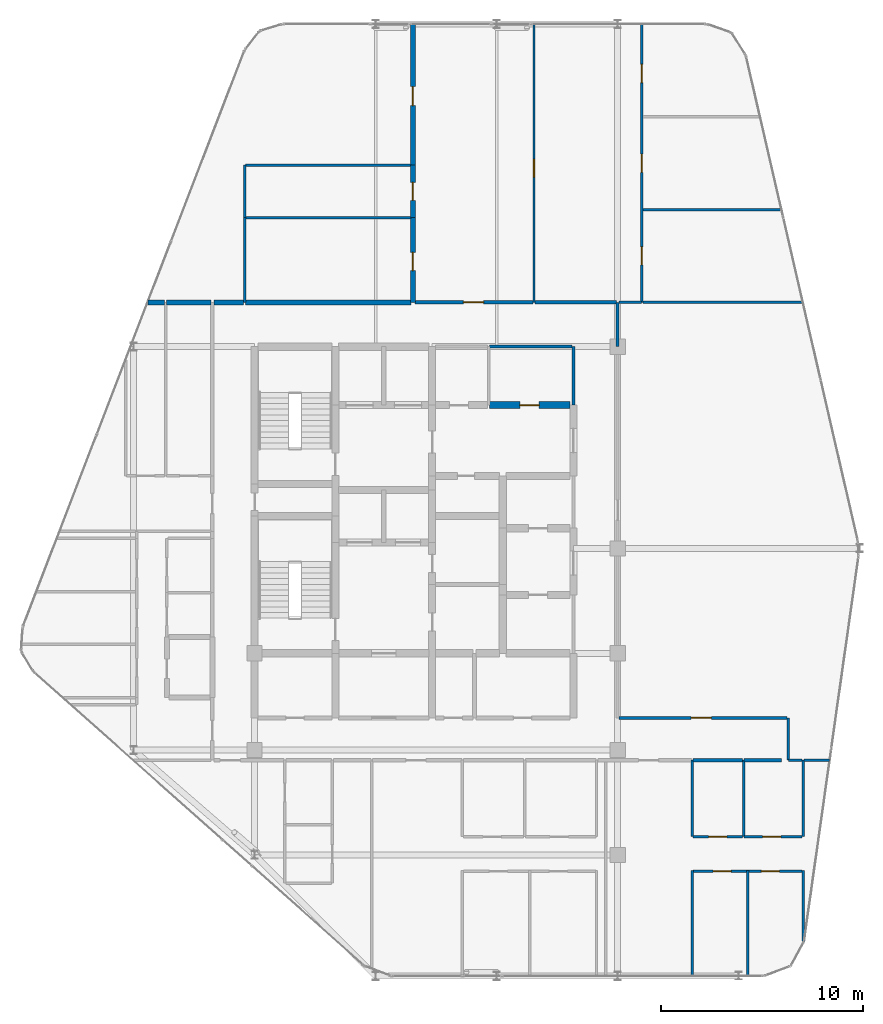
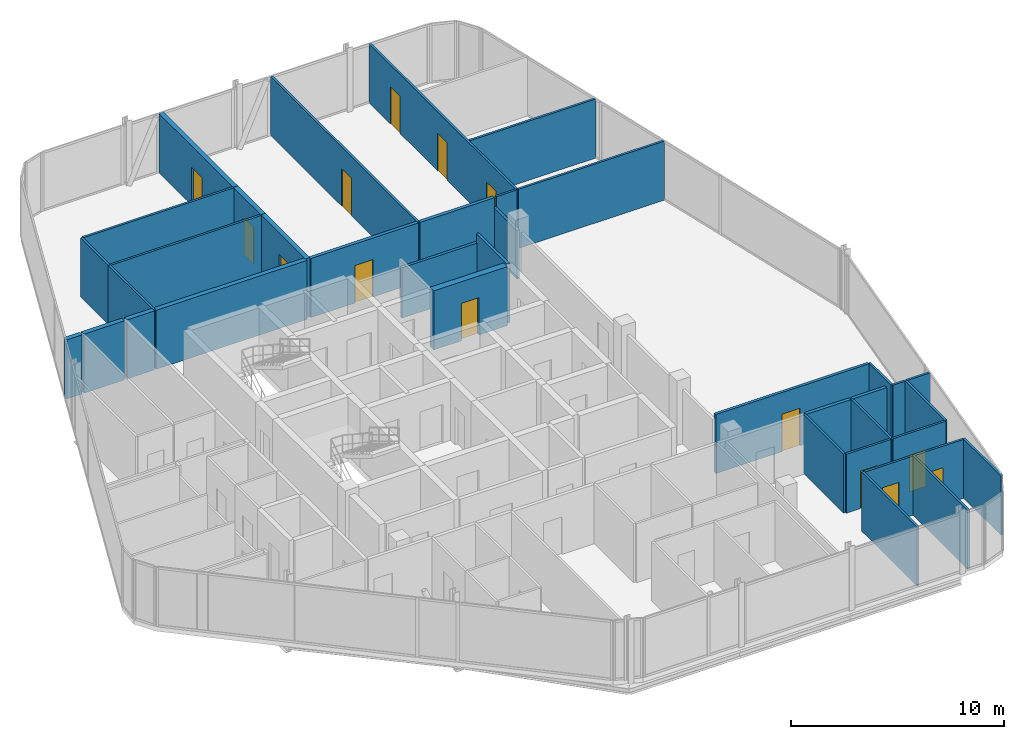
# One storey, part 25 of 27: 37 walls, 14 doors, 14 openings.
"""IFC4 building model written with IfcOpenShell, lengths in metres."""

from ifc_helpers import new_model, si_unit, direction, frame, frame_2d, origin, place, context, subcontext, project, spatial, rectangle, extrude, material, layer, layer_set, type_object, element, fill, save


model = new_model("IFC4")

# Units and contexts
model_context = context("Model", 3, precision=1e-05, world=origin(), true_north=direction((0.0, 1.0)))
body_context = subcontext(model_context, "Body", "Model", "MODEL_VIEW")
ifc_project = project(units=[si_unit("LENGTHUNIT", "METRE"), si_unit("AREAUNIT", "SQUARE_METRE"), si_unit("VOLUMEUNIT", "CUBIC_METRE"), si_unit("PLANEANGLEUNIT", "RADIAN"), si_unit("MASSUNIT", "GRAM", prefix="KILO")], contexts=[model_context])

# Site, building, storey
site_placement = place(None, origin())
site = spatial("IfcSite", under=ifc_project, at=site_placement, CompositionType="ELEMENT")
building_placement = place(site_placement, origin())
building = spatial("IfcBuilding", under=site, at=building_placement, Name="Keshet Zoharim Tower", CompositionType="ELEMENT")
storey_placement = place(building_placement, frame((0.0, 0.0, 247.300048828125)))
storey = spatial("IfcBuildingStorey", under=building, at=storey_placement, Name="L61", CompositionType="ELEMENT", Elevation=247.300048828125)

# Wall
ifc_material_1 = material(Name="Gypsum Plasterboard", Category="gypsum")
ifc_layer_1 = layer(ifc_material_1, 0.14990234375)
ifc_layer_set_1 = layer_set([ifc_layer_1], Name="Gypsum Plasterboard")
wall_type_1 = type_object("IfcWallType", Name="WL-CLIN-150", PredefinedType="STANDARD", material=ifc_layer_set_1)
wall_1_placement = place(storey_placement, frame((30.800048828125, 35.0, 0.0), z_axis=(0.0, 0.0, 1.0), x_axis=(0.0, 1.0, 0.0)))
element("IfcWall", 1, at=wall_1_placement, inside=storey, type_object=wall_type_1, Name="L61 Interior Wall 059", PredefinedType="STANDARD", context=body_context, shape_type="SweptSolid", body=[
    extrude(rectangle(XDim=2.89990234375, YDim=0.14990234375, at=frame_2d((1.449951171875, 0.0))), origin(), (0.0, 0.0, 1.0), 3.389892578125),
])

# Wall, opening, door
wall_2_placement = place(storey_placement, frame((33.06005859375, 19.5, 0.0), z_axis=(0.0, 0.0, 1.0), x_axis=(1.0, 0.0, 0.0)))
wall_2 = element("IfcWall", 2, at=wall_2_placement, inside=storey, type_object=wall_type_1, Name="L61 Interior Wall 096", PredefinedType="STANDARD", context=body_context, shape_type="SweptSolid", body=[
    extrude(rectangle(XDim=8.322998046875, YDim=0.14990234375, at=frame_2d((4.16162109375, 0.0))), origin(), (0.0, 0.0, 1.0), 3.389892578125),
])
opening_1_placement = place(wall_2_placement, frame((3.5830078125, 0.0, 0.0)))
opening_1 = element("IfcOpeningElement", 3, at=opening_1_placement, cuts=wall_2, Name="Opening D-F310", PredefinedType="OPENING", context=body_context, shape_type="SweptSolid", body=[
    extrude(rectangle(XDim=1.0, YDim=2.14990234375, at=frame_2d((0.5, 1.074951171875))), frame((0.0, 0.0849609375, 0.0), z_axis=(0.0, -1.0, 0.0), x_axis=(1.0, 0.0, 0.0)), (0.0, 0.0, 1.0), 0.169921875),
])
ifc_material_2 = material(Name="Hardwood Timber", Category="wood")
door_type_1 = type_object("IfcDoorType", Name="DR-FD30-100", OperationType="NOTDEFINED", PredefinedType="DOOR", material=ifc_material_2)
door_1_placement = place(opening_1_placement, origin())
door_1 = element("IfcDoor", 4, at=door_1_placement, inside=storey, type_object=door_type_1, Name="L61 North West Residents Services Suite Door 2", OperationType="SINGLE_SWING_RIGHT", OverallHeight=2.14990234375, OverallWidth=1.0, PredefinedType="DOOR", context=body_context, shape_type="SweptSolid", body=[
    extrude(rectangle(XDim=1.0, YDim=2.14990234375, at=frame_2d((0.5, 1.074951171875))), frame((0.0, 0.02490234375, 0.0), z_axis=(0.0, -1.0, 0.0), x_axis=(1.0, 0.0, 0.0)), (0.0, 0.0, 1.0), 0.050048828125),
])
fill(opening_1, door_1)

# Walls
wall_3_placement = place(storey_placement, frame((26.64501953125, 37.89990234375, 0.0), z_axis=(0.0, 0.0, 1.0), x_axis=(1.0, 0.0, 0.0)))
element("IfcWall", 5, at=wall_3_placement, inside=storey, type_object=wall_type_1, Name="L61 Interior Wall 131", PredefinedType="STANDARD", context=body_context, shape_type="SweptSolid", body=[
    extrude(rectangle(XDim=4.094970703125, YDim=0.14990234375, at=frame_2d((2.04736328125, 0.0))), origin(), (0.0, 0.0, 1.0), 2.889892578125),
])
wall_4_placement = place(storey_placement, frame((33.0, 37.89990234375, 0.0), z_axis=(0.0, 0.0, 1.0), x_axis=(0.0, 1.0, 0.0)))
element("IfcWall", 6, at=wall_4_placement, inside=storey, type_object=wall_type_1, Name="L61 Interior Wall 063 Part 3", PredefinedType="STANDARD", context=body_context, shape_type="SweptSolid", body=[
    extrude(rectangle(XDim=2.2001953125, YDim=0.14990234375, at=frame_2d((1.10009765625, 0.0))), origin(), (0.0, 0.0, 1.0), 2.7900390625),
])

# Wall, opening, door
ifc_material_3 = material(Name="Concrete C60/75", Category="concrete")
ifc_layer_2 = layer(ifc_material_3, 0.35009765625)
ifc_layer_set_2 = layer_set([ifc_layer_2], Name="Concrete C60/75")
wall_type_2 = type_object("IfcWallType", Name="WL-CORE-350", PredefinedType="SHEAR", material=ifc_layer_set_2)
wall_5_placement = place(storey_placement, frame((26.64501953125, 35.0, 0.0), z_axis=(0.0, 0.0, 1.0), x_axis=(1.0, 0.0, 0.0)))
wall_5 = element("IfcWall", 7, at=wall_5_placement, inside=storey, type_object=wall_type_2, Name="L61 Core Shear Wall 127", PredefinedType="SHEAR", context=body_context, shape_type="SweptSolid", body=[
    extrude(rectangle(XDim=3.994873046875, YDim=0.35009765625, at=frame_2d((1.99755859375, 0.0))), origin(), (0.0, 0.0, 1.0), 3.389892578125),
])
opening_2_placement = place(wall_5_placement, frame((1.508056640625, 0.0, 0.0)))
opening_2 = element("IfcOpeningElement", 8, at=opening_2_placement, cuts=wall_5, Name="Opening D-F695", PredefinedType="OPENING", context=body_context, shape_type="SweptSolid", body=[
    extrude(rectangle(XDim=0.949951171875, YDim=2.14990234375, at=frame_2d((0.47509765625, 1.074951171875))), frame((0.0, 0.18505859375, 0.0), z_axis=(0.0, -1.0, 0.0), x_axis=(1.0, 0.0, 0.0)), (0.0, 0.0, 1.0), 0.3701171875),
])
door_type_2 = type_object("IfcDoorType", Name="DR-FD60-095", OperationType="NOTDEFINED", PredefinedType="DOOR", material=ifc_material_2)
door_2_placement = place(opening_2_placement, frame((0.949951171875, 0.0, 0.0), z_axis=(0.0, 0.0, 1.0), x_axis=(-1.0, 0.0, 0.0)))
door_2 = element("IfcDoor", 9, at=door_2_placement, inside=storey, type_object=door_type_2, Name="L61 Quiet Study Room Door", OperationType="SINGLE_SWING_RIGHT", OverallHeight=2.14990234375, OverallWidth=0.949951171875, PredefinedType="DOOR", context=body_context, shape_type="SweptSolid", body=[
    extrude(rectangle(XDim=0.949951171875, YDim=2.14990234375, at=frame_2d((0.47509765625, 1.074951171875))), frame((0.0, 0.02490234375, 0.0), z_axis=(0.0, -1.0, 0.0), x_axis=(1.0, 0.0, 0.0)), (0.0, 0.0, 1.0), 0.050048828125),
])
fill(opening_2, door_2)

# Walls
ifc_layer_3 = layer(ifc_material_1, 0.179931640625)
ifc_layer_set_3 = layer_set([ifc_layer_3], Name="Gypsum Plasterboard")
wall_type_3 = type_object("IfcWallType", Name="WL-CORR-180", PredefinedType="STANDARD", material=ifc_layer_set_3)
wall_6_placement = place(storey_placement, frame((36.7451171875, 17.39990234375, 0.0), z_axis=(0.0, 0.0, 1.0), x_axis=(1.0, 0.0, 0.0)))
element("IfcWall", 10, at=wall_6_placement, inside=storey, type_object=wall_type_3, Name="L61 Interior Wall 088", PredefinedType="STANDARD", context=body_context, shape_type="SweptSolid", body=[
    extrude(rectangle(XDim=2.435791015625, YDim=0.179931640625, at=frame_2d((1.2177734375, 0.0))), origin(), (0.0, 0.0, 1.0), 3.389892578125),
])
wall_7_placement = place(storey_placement, frame((39.27099609375, 17.39990234375, 0.0), z_axis=(0.0, 0.0, 1.0), x_axis=(1.0, 0.0, 0.0)))
element("IfcWall", 11, at=wall_7_placement, inside=storey, type_object=wall_type_3, Name="L61 Interior Wall 089", PredefinedType="STANDARD", context=body_context, shape_type="SweptSolid", body=[
    extrude(rectangle(XDim=1.85888671875, YDim=0.179931640625, at=frame_2d((0.929443359375, 0.0))), origin(), (0.0, 0.0, 1.0), 3.389892578125),
])

# Wall, opening, door
wall_8_placement = place(storey_placement, frame((22.9599609375, 40.10009765625, 0.0), z_axis=(0.0, 0.0, 1.0), x_axis=(1.0, 0.0, 0.0)))
wall_8 = element("IfcWall", 12, at=wall_8_placement, inside=storey, type_object=wall_type_3, Name="L61 Interior Wall 136", PredefinedType="STANDARD", context=body_context, shape_type="SweptSolid", body=[
    extrude(rectangle(XDim=5.844970703125, YDim=0.179931640625, at=frame_2d((2.92236328125, 0.0))), origin(), (0.0, 0.0, 1.0), 3.389892578125),
])
opening_3_placement = place(wall_8_placement, frame((2.389892578125, 0.0, 0.0)))
opening_3 = element("IfcOpeningElement", 13, at=opening_3_placement, cuts=wall_8, Name="Opening D-F310", PredefinedType="OPENING", context=body_context, shape_type="SweptSolid", body=[
    extrude(rectangle(XDim=1.0, YDim=2.14990234375, at=frame_2d((0.5, 1.074951171875))), frame((0.0, 0.10009765625, 0.0), z_axis=(0.0, -1.0, 0.0), x_axis=(1.0, 0.0, 0.0)), (0.0, 0.0, 1.0), 0.199951171875),
])
door_3_placement = place(opening_3_placement, origin())
door_3 = element("IfcDoor", 14, at=door_3_placement, inside=storey, type_object=door_type_1, Name="Apartment 6104 Entrance Door", OperationType="SINGLE_SWING_LEFT", OverallHeight=2.14990234375, OverallWidth=1.0, PredefinedType="DOOR", context=body_context, shape_type="SweptSolid", body=[
    extrude(rectangle(XDim=1.0, YDim=2.14990234375, at=frame_2d((0.5, 1.074951171875))), frame((0.0, 0.02490234375, 0.0), z_axis=(0.0, -1.0, 0.0), x_axis=(1.0, 0.0, 0.0)), (0.0, 0.0, 1.0), 0.050048828125),
])
fill(opening_3, door_3)

# Wall
wall_9_placement = place(storey_placement, frame((28.89501953125, 40.10009765625, 0.0), z_axis=(0.0, 0.0, 1.0), x_axis=(1.0, 0.0, 0.0)))
element("IfcWall", 15, at=wall_9_placement, inside=storey, type_object=wall_type_3, Name="L61 Interior Wall 137", PredefinedType="STANDARD", context=body_context, shape_type="SweptSolid", body=[
    extrude(rectangle(XDim=4.044921875, YDim=0.179931640625, at=frame_2d((2.0224609375, 0.0))), origin(), (0.0, 0.0, 1.0), 3.389892578125),
])

# Wall, opening, door
ifc_material_4 = material(Name="Concrete C50/60", Category="concrete")
ifc_layer_4 = layer(ifc_material_4, 0.25)
ifc_layer_set_4 = layer_set([ifc_layer_4], Name="Concrete C50/60")
wall_type_4 = type_object("IfcWallType", Name="WL-MAMAD-250", PredefinedType="STANDARD", material=ifc_layer_set_4)
wall_10_placement = place(storey_placement, frame((22.85009765625, 40.10009765625, 0.0), z_axis=(0.0, 0.0, 1.0), x_axis=(0.0, 1.0, 0.0)))
wall_10 = element("IfcWall", 16, at=wall_10_placement, inside=storey, type_object=wall_type_4, Name="L61 Interior Wall 034", PredefinedType="STANDARD", context=body_context, shape_type="SweptSolid", body=[
    extrude(rectangle(XDim=4.199951171875, YDim=0.25, at=frame_2d((2.10009765625, 0.0))), origin(), (0.0, 0.0, 1.0), 3.389892578125),
])
opening_4_placement = place(wall_10_placement, frame((1.576904296875, 0.0, 0.0)))
opening_4 = element("IfcOpeningElement", 17, at=opening_4_placement, cuts=wall_10, Name="Opening D-IN90", PredefinedType="OPENING", context=body_context, shape_type="SweptSolid", body=[
    extrude(rectangle(XDim=0.89990234375, YDim=2.14990234375, at=frame_2d((0.449951171875, 1.074951171875))), frame((0.0, 0.135009765625, 0.0), z_axis=(0.0, -1.0, 0.0), x_axis=(1.0, 0.0, 0.0)), (0.0, 0.0, 1.0), 0.27001953125),
])
door_type_3 = type_object("IfcDoorType", Name="DR-INT-090", OperationType="NOTDEFINED", PredefinedType="DOOR", material=ifc_material_2)
door_4_placement = place(opening_4_placement, origin())
door_4 = element("IfcDoor", 18, at=door_4_placement, inside=storey, type_object=door_type_3, Name="Apartment 6104 Kitchen Door", OperationType="SINGLE_SWING_RIGHT", OverallHeight=2.14990234375, OverallWidth=0.89990234375, PredefinedType="DOOR", context=body_context, shape_type="SweptSolid", body=[
    extrude(rectangle(XDim=0.89990234375, YDim=2.14990234375, at=frame_2d((0.449951171875, 1.074951171875))), frame((0.0, 0.02490234375, 0.0), z_axis=(0.0, -1.0, 0.0), x_axis=(1.0, 0.0, 0.0)), (0.0, 0.0, 1.0), 0.050048828125),
])
fill(opening_4, door_4)

wall_11_placement = place(storey_placement, frame((22.85009765625, 44.300048828125, 0.0), z_axis=(0.0, 0.0, 1.0), x_axis=(0.0, 1.0, 0.0)))
wall_11 = element("IfcWall", 19, at=wall_11_placement, inside=storey, type_object=wall_type_4, Name="L61 Interior Wall 035", PredefinedType="STANDARD", context=body_context, shape_type="SweptSolid", body=[
    extrude(rectangle(XDim=2.599853515625, YDim=0.25, at=frame_2d((1.2998046875, 0.0))), origin(), (0.0, 0.0, 1.0), 3.389892578125),
])
opening_5_placement = place(wall_11_placement, frame((0.85009765625, 0.0, 0.0)))
opening_5 = element("IfcOpeningElement", 20, at=opening_5_placement, cuts=wall_11, Name="Opening D-WT90", PredefinedType="OPENING", context=body_context, shape_type="SweptSolid", body=[
    extrude(rectangle(XDim=0.89990234375, YDim=2.10009765625, at=frame_2d((0.449951171875, 1.050048828125))), frame((0.0, 0.135009765625, 0.0), z_axis=(0.0, -1.0, 0.0), x_axis=(1.0, 0.0, 0.0)), (0.0, 0.0, 1.0), 0.27001953125),
])
door_type_4 = type_object("IfcDoorType", Name="DR-WET-090", OperationType="NOTDEFINED", PredefinedType="DOOR", material=ifc_material_2)
door_5_placement = place(opening_5_placement, origin())
door_5 = element("IfcDoor", 21, at=door_5_placement, inside=storey, type_object=door_type_4, Name="Apartment 6104 Bathroom Door", OperationType="SINGLE_SWING_LEFT", OverallHeight=2.10009765625, OverallWidth=0.89990234375, PredefinedType="DOOR", context=body_context, shape_type="SweptSolid", body=[
    extrude(rectangle(XDim=0.89990234375, YDim=2.10009765625, at=frame_2d((0.449951171875, 1.050048828125))), frame((0.0, 0.02490234375, 0.0), z_axis=(0.0, -1.0, 0.0), x_axis=(1.0, 0.0, 0.0)), (0.0, 0.0, 1.0), 0.050048828125),
])
fill(opening_5, door_5)

wall_12_placement = place(storey_placement, frame((22.85009765625, 46.89990234375, 0.0), z_axis=(0.0, 0.0, 1.0), x_axis=(0.0, 1.0, 0.0)))
wall_12 = element("IfcWall", 22, at=wall_12_placement, inside=storey, type_object=wall_type_4, Name="L61 Interior Wall 036", PredefinedType="STANDARD", context=body_context, shape_type="SweptSolid", body=[
    extrude(rectangle(XDim=6.989990234375, YDim=0.25, at=frame_2d((3.4951171875, 0.0))), origin(), (0.0, 0.0, 1.0), 3.389892578125),
])
opening_6_placement = place(wall_12_placement, frame((2.948974609375, 0.0, 0.0)))
opening_6 = element("IfcOpeningElement", 23, at=opening_6_placement, cuts=wall_12, Name="Opening D-F695", PredefinedType="OPENING", context=body_context, shape_type="SweptSolid", body=[
    extrude(rectangle(XDim=0.949951171875, YDim=2.14990234375, at=frame_2d((0.47509765625, 1.074951171875))), frame((0.0, 0.135009765625, 0.0), z_axis=(0.0, -1.0, 0.0), x_axis=(1.0, 0.0, 0.0)), (0.0, 0.0, 1.0), 0.27001953125),
])
door_6_placement = place(opening_6_placement, origin())
door_6 = element("IfcDoor", 24, at=door_6_placement, inside=storey, type_object=door_type_2, Name="Apartment 6104 Study and Shelter Room Door", OperationType="SINGLE_SWING_RIGHT", OverallHeight=2.14990234375, OverallWidth=0.949951171875, PredefinedType="DOOR", context=body_context, shape_type="SweptSolid", body=[
    extrude(rectangle(XDim=0.949951171875, YDim=2.14990234375, at=frame_2d((0.47509765625, 1.074951171875))), frame((0.0, 0.02490234375, 0.0), z_axis=(0.0, -1.0, 0.0), x_axis=(1.0, 0.0, 0.0)), (0.0, 0.0, 1.0), 0.050048828125),
])
fill(opening_6, door_6)

# Walls
wall_13_placement = place(storey_placement, frame((9.701904296875, 40.10009765625, 0.0), z_axis=(0.0, 0.0, 1.0), x_axis=(1.0, 0.0, 0.0)))
element("IfcWall", 25, at=wall_13_placement, inside=storey, type_object=wall_type_4, Name="L61 Interior Wall 132", PredefinedType="STANDARD", context=body_context, shape_type="SweptSolid", body=[
    extrude(rectangle(XDim=0.8310546875, YDim=0.25, at=frame_2d((0.41552734375, 0.0))), origin(), (0.0, 0.0, 1.0), 3.389892578125),
])
wall_14_placement = place(storey_placement, frame((10.623046875, 40.10009765625, 0.0), z_axis=(0.0, 0.0, 1.0), x_axis=(1.0, 0.0, 0.0)))
element("IfcWall", 26, at=wall_14_placement, inside=storey, type_object=wall_type_4, Name="L61 Interior Wall 133", PredefinedType="STANDARD", context=body_context, shape_type="SweptSolid", body=[
    extrude(rectangle(XDim=2.201904296875, YDim=0.25, at=frame_2d((1.10107421875, 0.0))), origin(), (0.0, 0.0, 1.0), 3.389892578125),
])
wall_15_placement = place(storey_placement, frame((12.97509765625, 40.10009765625, 0.0), z_axis=(0.0, 0.0, 1.0), x_axis=(1.0, 0.0, 0.0)))
element("IfcWall", 27, at=wall_15_placement, inside=storey, type_object=wall_type_4, Name="L61 Interior Wall 134", PredefinedType="STANDARD", context=body_context, shape_type="SweptSolid", body=[
    extrude(rectangle(XDim=1.47998046875, YDim=0.25, at=frame_2d((0.739990234375, 0.0))), origin(), (0.0, 0.0, 1.0), 3.389892578125),
])
wall_16_placement = place(storey_placement, frame((14.544921875, 40.10009765625, 0.0), z_axis=(0.0, 0.0, 1.0), x_axis=(1.0, 0.0, 0.0)))
element("IfcWall", 28, at=wall_16_placement, inside=storey, type_object=wall_type_4, Name="L61 Interior Wall 135", PredefinedType="STANDARD", context=body_context, shape_type="SweptSolid", body=[
    extrude(rectangle(XDim=8.195068359375, YDim=0.25, at=frame_2d((4.09765625, 0.0))), origin(), (0.0, 0.0, 1.0), 3.389892578125),
])
ifc_layer_5 = layer(ifc_material_1, 0.1201171875)
ifc_layer_set_5 = layer_set([ifc_layer_5], Name="Gypsum Plasterboard")
wall_type_5 = type_object("IfcWallType", Name="WL-PART-120", PredefinedType="PARTITIONING", material=ifc_layer_set_5)
wall_17_placement = place(storey_placement, frame((14.5, 40.10009765625, 0.0), z_axis=(0.0, 0.0, 1.0), x_axis=(0.0, 1.0, 0.0)))
element("IfcWall", 29, at=wall_17_placement, inside=storey, type_object=wall_type_5, Name="L61 Interior Wall 016", PredefinedType="PARTITIONING", context=body_context, shape_type="SweptSolid", body=[
    extrude(rectangle(XDim=4.199951171875, YDim=0.1201171875, at=frame_2d((2.10009765625, 0.0))), origin(), (0.0, 0.0, 1.0), 3.389892578125),
])

# Wall, opening, door
wall_18_placement = place(storey_placement, frame((28.85009765625, 40.10009765625, 0.0), z_axis=(0.0, 0.0, 1.0), x_axis=(0.0, 1.0, 0.0)))
wall_18 = element("IfcWall", 30, at=wall_18_placement, inside=storey, type_object=wall_type_5, Name="L61 Interior Wall 053", PredefinedType="PARTITIONING", context=body_context, shape_type="SweptSolid", body=[
    extrude(rectangle(XDim=13.789794921875, YDim=0.1201171875, at=frame_2d((6.89501953125, 0.0))), origin(), (0.0, 0.0, 1.0), 3.389892578125),
])
opening_7_placement = place(wall_18_placement, frame((6.199951171875, 0.0, 0.0)))
opening_7 = element("IfcOpeningElement", 31, at=opening_7_placement, cuts=wall_18, Name="Opening D-IN90", PredefinedType="OPENING", context=body_context, shape_type="SweptSolid", body=[
    extrude(rectangle(XDim=0.89990234375, YDim=2.14990234375, at=frame_2d((0.449951171875, 1.074951171875))), frame((0.0, 0.070068359375, 0.0), z_axis=(0.0, -1.0, 0.0), x_axis=(1.0, 0.0, 0.0)), (0.0, 0.0, 1.0), 0.14013671875),
])
door_7_placement = place(opening_7_placement, origin())
door_7 = element("IfcDoor", 32, at=door_7_placement, inside=storey, type_object=door_type_3, Name="Apartment 6104 Formal Dining Room Door", OperationType="SINGLE_SWING_RIGHT", OverallHeight=2.14990234375, OverallWidth=0.89990234375, PredefinedType="DOOR", context=body_context, shape_type="SweptSolid", body=[
    extrude(rectangle(XDim=0.89990234375, YDim=2.14990234375, at=frame_2d((0.449951171875, 1.074951171875))), frame((0.0, 0.02490234375, 0.0), z_axis=(0.0, -1.0, 0.0), x_axis=(1.0, 0.0, 0.0)), (0.0, 0.0, 1.0), 0.050048828125),
])
fill(opening_7, door_7)

# Wall, openings, doors
wall_19_placement = place(storey_placement, frame((34.199951171875, 40.10009765625, 0.0), z_axis=(0.0, 0.0, 1.0), x_axis=(0.0, 1.0, 0.0)))
wall_19 = element("IfcWall", 33, at=wall_19_placement, inside=storey, type_object=wall_type_5, Name="L61 Interior Wall 064", PredefinedType="PARTITIONING", context=body_context, shape_type="SweptSolid", body=[
    extrude(rectangle(XDim=13.789794921875, YDim=0.1201171875, at=frame_2d((6.89501953125, 0.0))), origin(), (0.0, 0.0, 1.0), 3.389892578125),
])
opening_8_placement = place(wall_19_placement, frame((1.85205078125, 0.0, 0.0)))
opening_8 = element("IfcOpeningElement", 34, at=opening_8_placement, cuts=wall_19, Name="Opening D-IN90", PredefinedType="OPENING", context=body_context, shape_type="SweptSolid", body=[
    extrude(rectangle(XDim=0.89990234375, YDim=2.14990234375, at=frame_2d((0.449951171875, 1.074951171875))), frame((0.0, 0.070068359375, 0.0), z_axis=(0.0, -1.0, 0.0), x_axis=(1.0, 0.0, 0.0)), (0.0, 0.0, 1.0), 0.14013671875),
])
opening_9_placement = place(wall_19_placement, frame((6.449951171875, 0.0, 0.0)))
opening_9 = element("IfcOpeningElement", 35, at=opening_9_placement, cuts=wall_19, Name="Opening D-IN90", PredefinedType="OPENING", context=body_context, shape_type="SweptSolid", body=[
    extrude(rectangle(XDim=0.89990234375, YDim=2.14990234375, at=frame_2d((0.449951171875, 1.074951171875))), frame((0.0, 0.070068359375, 0.0), z_axis=(0.0, -1.0, 0.0), x_axis=(1.0, 0.0, 0.0)), (0.0, 0.0, 1.0), 0.14013671875),
])
opening_10_placement = place(wall_19_placement, frame((10.89794921875, 0.0, 0.0)))
opening_10 = element("IfcOpeningElement", 36, at=opening_10_placement, cuts=wall_19, Name="Opening D-IN90", PredefinedType="OPENING", context=body_context, shape_type="SweptSolid", body=[
    extrude(rectangle(XDim=0.89990234375, YDim=2.14990234375, at=frame_2d((0.449951171875, 1.074951171875))), frame((0.0, 0.070068359375, 0.0), z_axis=(0.0, -1.0, 0.0), x_axis=(1.0, 0.0, 0.0)), (0.0, 0.0, 1.0), 0.14013671875),
])
door_8_placement = place(opening_8_placement, origin())
door_8 = element("IfcDoor", 37, at=door_8_placement, inside=storey, type_object=door_type_3, Name="Apartment 6104 Bedroom 1 Door", OperationType="SINGLE_SWING_RIGHT", OverallHeight=2.14990234375, OverallWidth=0.89990234375, PredefinedType="DOOR", context=body_context, shape_type="SweptSolid", body=[
    extrude(rectangle(XDim=0.89990234375, YDim=2.14990234375, at=frame_2d((0.449951171875, 1.074951171875))), frame((0.0, 0.02490234375, 0.0), z_axis=(0.0, -1.0, 0.0), x_axis=(1.0, 0.0, 0.0)), (0.0, 0.0, 1.0), 0.050048828125),
])
fill(opening_8, door_8)
door_9_placement = place(opening_9_placement, origin())
door_9 = element("IfcDoor", 38, at=door_9_placement, inside=storey, type_object=door_type_3, Name="Apartment 6104 Bedroom 2 Door", OperationType="SINGLE_SWING_LEFT", OverallHeight=2.14990234375, OverallWidth=0.89990234375, PredefinedType="DOOR", context=body_context, shape_type="SweptSolid", body=[
    extrude(rectangle(XDim=0.89990234375, YDim=2.14990234375, at=frame_2d((0.449951171875, 1.074951171875))), frame((0.0, 0.02490234375, 0.0), z_axis=(0.0, -1.0, 0.0), x_axis=(1.0, 0.0, 0.0)), (0.0, 0.0, 1.0), 0.050048828125),
])
fill(opening_9, door_9)
door_10_placement = place(opening_10_placement, origin())
door_10 = element("IfcDoor", 39, at=door_10_placement, inside=storey, type_object=door_type_3, Name="Apartment 6104 Bedroom 3 Door", OperationType="SINGLE_SWING_RIGHT", OverallHeight=2.14990234375, OverallWidth=0.89990234375, PredefinedType="DOOR", context=body_context, shape_type="SweptSolid", body=[
    extrude(rectangle(XDim=0.89990234375, YDim=2.14990234375, at=frame_2d((0.449951171875, 1.074951171875))), frame((0.0, 0.02490234375, 0.0), z_axis=(0.0, -1.0, 0.0), x_axis=(1.0, 0.0, 0.0)), (0.0, 0.0, 1.0), 0.050048828125),
])
fill(opening_10, door_10)

# Walls
wall_20_placement = place(storey_placement, frame((36.699951171875, 6.7099609375, 0.0), z_axis=(0.0, 0.0, 1.0), x_axis=(0.0, 1.0, 0.0)))
element("IfcWall", 40, at=wall_20_placement, inside=storey, type_object=wall_type_5, Name="L61 Interior Wall 065", PredefinedType="PARTITIONING", context=body_context, shape_type="SweptSolid", body=[
    extrude(rectangle(XDim=5.2099609375, YDim=0.1201171875, at=frame_2d((2.60498046875, 0.0))), origin(), (0.0, 0.0, 1.0), 3.389892578125),
])
wall_21_placement = place(storey_placement, frame((36.699951171875, 13.6201171875, 0.0), z_axis=(0.0, 0.0, 1.0), x_axis=(0.0, 1.0, 0.0)))
element("IfcWall", 41, at=wall_21_placement, inside=storey, type_object=wall_type_5, Name="L61 Interior Wall 066", PredefinedType="PARTITIONING", context=body_context, shape_type="SweptSolid", body=[
    extrude(rectangle(XDim=3.77978515625, YDim=0.1201171875, at=frame_2d((1.889892578125, 0.0))), origin(), (0.0, 0.0, 1.0), 3.389892578125),
])
wall_22_placement = place(storey_placement, frame((39.449951171875, 6.7099609375, 0.0), z_axis=(0.0, 0.0, 1.0), x_axis=(0.0, 1.0, 0.0)))
element("IfcWall", 42, at=wall_22_placement, inside=storey, type_object=wall_type_5, Name="L61 Interior Wall 068", PredefinedType="PARTITIONING", context=body_context, shape_type="SweptSolid", body=[
    extrude(rectangle(XDim=5.2099609375, YDim=0.1201171875, at=frame_2d((2.60498046875, 0.0))), origin(), (0.0, 0.0, 1.0), 3.389892578125),
])
wall_23_placement = place(storey_placement, frame((41.449951171875, 17.39990234375, 0.0), z_axis=(0.0, 0.0, 1.0), x_axis=(0.0, 1.0, 0.0)))
element("IfcWall", 43, at=wall_23_placement, inside=storey, type_object=wall_type_5, Name="L61 Interior Wall 069", PredefinedType="PARTITIONING", context=body_context, shape_type="SweptSolid", body=[
    extrude(rectangle(XDim=2.09912109375, YDim=0.1201171875, at=frame_2d((1.049560546875, 0.0))), origin(), (0.0, 0.0, 1.0), 3.389892578125),
])
wall_24_placement = place(storey_placement, frame((42.199951171875, 8.35107421875, 0.0), z_axis=(0.0, 0.0, 1.0), x_axis=(0.0, 1.0, 0.0)))
element("IfcWall", 44, at=wall_24_placement, inside=storey, type_object=wall_type_5, Name="L61 Interior Wall 070", PredefinedType="PARTITIONING", context=body_context, shape_type="SweptSolid", body=[
    extrude(rectangle(XDim=3.56884765625, YDim=0.1201171875, at=frame_2d((1.784423828125, 0.0))), origin(), (0.0, 0.0, 1.0), 3.389892578125),
])

# Wall, openings, doors
wall_25_placement = place(storey_placement, frame((36.7451171875, 11.89990234375, 0.0), z_axis=(0.0, 0.0, 1.0), x_axis=(1.0, 0.0, 0.0)))
wall_25 = element("IfcWall", 45, at=wall_25_placement, inside=storey, type_object=wall_type_5, Name="L61 Interior Wall 074", PredefinedType="PARTITIONING", context=body_context, shape_type="SweptSolid", body=[
    extrude(rectangle(XDim=5.40087890625, YDim=0.1201171875, at=frame_2d((2.700439453125, 0.0))), origin(), (0.0, 0.0, 1.0), 3.389892578125),
])
opening_11_placement = place(wall_25_placement, frame((0.98095703125, 0.0, 0.0)))
opening_11 = element("IfcOpeningElement", 46, at=opening_11_placement, cuts=wall_25, Name="Opening D-IN90", PredefinedType="OPENING", context=body_context, shape_type="SweptSolid", body=[
    extrude(rectangle(XDim=0.89990234375, YDim=2.14990234375, at=frame_2d((0.449951171875, 1.074951171875))), frame((0.0, 0.070068359375, 0.0), z_axis=(0.0, -1.0, 0.0), x_axis=(1.0, 0.0, 0.0)), (0.0, 0.0, 1.0), 0.14013671875),
])
opening_12_placement = place(wall_25_placement, frame((3.376953125, 0.0, 0.0)))
opening_12 = element("IfcOpeningElement", 47, at=opening_12_placement, cuts=wall_25, Name="Opening D-IN90", PredefinedType="OPENING", context=body_context, shape_type="SweptSolid", body=[
    extrude(rectangle(XDim=0.89990234375, YDim=2.14990234375, at=frame_2d((0.449951171875, 1.074951171875))), frame((0.0, 0.070068359375, 0.0), z_axis=(0.0, -1.0, 0.0), x_axis=(1.0, 0.0, 0.0)), (0.0, 0.0, 1.0), 0.14013671875),
])
door_11_placement = place(opening_11_placement, origin())
door_11 = element("IfcDoor", 48, at=door_11_placement, inside=storey, type_object=door_type_3, Name="Apartment 6103 Bedroom 1 Door", OperationType="SINGLE_SWING_LEFT", OverallHeight=2.14990234375, OverallWidth=0.89990234375, PredefinedType="DOOR", context=body_context, shape_type="SweptSolid", body=[
    extrude(rectangle(XDim=0.89990234375, YDim=2.14990234375, at=frame_2d((0.449951171875, 1.074951171875))), frame((0.0, 0.02490234375, 0.0), z_axis=(0.0, -1.0, 0.0), x_axis=(1.0, 0.0, 0.0)), (0.0, 0.0, 1.0), 0.050048828125),
])
fill(opening_11, door_11)
door_12_placement = place(opening_12_placement, origin())
door_12 = element("IfcDoor", 49, at=door_12_placement, inside=storey, type_object=door_type_3, Name="Apartment 6103 Bedroom 2 Door", OperationType="SINGLE_SWING_RIGHT", OverallHeight=2.14990234375, OverallWidth=0.89990234375, PredefinedType="DOOR", context=body_context, shape_type="SweptSolid", body=[
    extrude(rectangle(XDim=0.89990234375, YDim=2.14990234375, at=frame_2d((0.449951171875, 1.074951171875))), frame((0.0, 0.02490234375, 0.0), z_axis=(0.0, -1.0, 0.0), x_axis=(1.0, 0.0, 0.0)), (0.0, 0.0, 1.0), 0.050048828125),
])
fill(opening_12, door_12)

# Wall, opening, door
wall_26_placement = place(storey_placement, frame((36.7451171875, 13.60009765625, 0.0), z_axis=(0.0, 0.0, 1.0), x_axis=(1.0, 0.0, 0.0)))
wall_26 = element("IfcWall", 50, at=wall_26_placement, inside=storey, type_object=wall_type_5, Name="L61 Interior Wall 077", PredefinedType="PARTITIONING", context=body_context, shape_type="SweptSolid", body=[
    extrude(rectangle(XDim=2.435791015625, YDim=0.1201171875, at=frame_2d((1.2177734375, 0.0))), origin(), (0.0, 0.0, 1.0), 3.389892578125),
])
opening_13_placement = place(wall_26_placement, frame((0.76806640625, 0.0, 0.0)))
opening_13 = element("IfcOpeningElement", 51, at=opening_13_placement, cuts=wall_26, Name="Opening D-IN90", PredefinedType="OPENING", context=body_context, shape_type="SweptSolid", body=[
    extrude(rectangle(XDim=0.89990234375, YDim=2.14990234375, at=frame_2d((0.449951171875, 1.074951171875))), frame((0.0, 0.070068359375, 0.0), z_axis=(0.0, -1.0, 0.0), x_axis=(1.0, 0.0, 0.0)), (0.0, 0.0, 1.0), 0.14013671875),
])
door_13_placement = place(opening_13_placement, origin())
door_13 = element("IfcDoor", 52, at=door_13_placement, inside=storey, type_object=door_type_3, Name="Apartment 6103 Kitchen Door", OperationType="SINGLE_SWING_LEFT", OverallHeight=2.14990234375, OverallWidth=0.89990234375, PredefinedType="DOOR", context=body_context, shape_type="SweptSolid", body=[
    extrude(rectangle(XDim=0.89990234375, YDim=2.14990234375, at=frame_2d((0.449951171875, 1.074951171875))), frame((0.0, 0.02490234375, 0.0), z_axis=(0.0, -1.0, 0.0), x_axis=(1.0, 0.0, 0.0)), (0.0, 0.0, 1.0), 0.050048828125),
])
fill(opening_13, door_13)

# Walls
wall_27_placement = place(storey_placement, frame((42.236083984375, 17.39990234375, 0.0), z_axis=(0.0, 0.0, 1.0), x_axis=(1.0, 0.0, 0.0)))
element("IfcWall", 53, at=wall_27_placement, inside=storey, type_object=wall_type_5, Name="L61 Interior Wall 091", PredefinedType="PARTITIONING", context=body_context, shape_type="SweptSolid", body=[
    extrude(rectangle(XDim=1.267822265625, YDim=0.1201171875, at=frame_2d((0.6337890625, 0.0))), origin(), (0.0, 0.0, 1.0), 3.389892578125),
])
wall_28_placement = place(storey_placement, frame((33.06005859375, 40.10009765625, 0.0), z_axis=(0.0, 0.0, 1.0), x_axis=(1.0, 0.0, 0.0)))
element("IfcWall", 54, at=wall_28_placement, inside=storey, type_object=wall_type_5, Name="L61 Interior Wall 138", PredefinedType="PARTITIONING", context=body_context, shape_type="SweptSolid", body=[
    extrude(rectangle(XDim=1.114990234375, YDim=0.1201171875, at=frame_2d((0.5576171875, 0.0))), origin(), (0.0, 0.0, 1.0), 3.389892578125),
])
wall_29_placement = place(storey_placement, frame((34.264892578125, 40.10009765625, 0.0), z_axis=(0.0, 0.0, 1.0), x_axis=(1.0, 0.0, 0.0)))
element("IfcWall", 55, at=wall_29_placement, inside=storey, type_object=wall_type_5, Name="L61 Interior Wall 139", PredefinedType="PARTITIONING", context=body_context, shape_type="SweptSolid", body=[
    extrude(rectangle(XDim=7.91015625, YDim=0.1201171875, at=frame_2d((3.955078125, 0.0))), origin(), (0.0, 0.0, 1.0), 3.389892578125),
])
wall_30_placement = place(storey_placement, frame((34.264892578125, 44.699951171875, 0.0), z_axis=(0.0, 0.0, 1.0), x_axis=(1.0, 0.0, 0.0)))
element("IfcWall", 56, at=wall_30_placement, inside=storey, type_object=wall_type_5, Name="L61 Interior Wall 141", PredefinedType="PARTITIONING", context=body_context, shape_type="SweptSolid", body=[
    extrude(rectangle(XDim=6.84814453125, YDim=0.1201171875, at=frame_2d((3.424072265625, 0.0))), origin(), (0.0, 0.0, 1.0), 3.389892578125),
])
ifc_layer_6 = layer(ifc_material_1, 0.1201171875)
ifc_layer_set_6 = layer_set([ifc_layer_6], Name="Gypsum Plasterboard")
wall_type_6 = type_object("IfcWallType", Name="WL-WET-120", PredefinedType="PARTITIONING", material=ifc_layer_set_6)
wall_31_placement = place(storey_placement, frame((14.5, 44.300048828125, 0.0), z_axis=(0.0, 0.0, 1.0), x_axis=(0.0, 1.0, 0.0)))
element("IfcWall", 57, at=wall_31_placement, inside=storey, type_object=wall_type_6, Name="L61 Interior Wall 017", PredefinedType="PARTITIONING", context=body_context, shape_type="SweptSolid", body=[
    extrude(rectangle(XDim=2.599853515625, YDim=0.1201171875, at=frame_2d((1.2998046875, 0.0))), origin(), (0.0, 0.0, 1.0), 3.389892578125),
])
for number, where, z_axis, x_axis, name in (
    (58, (39.25, 13.6201171875, 0.0), (0.0, 0.0, 1.0), (0.0, 1.0, 0.0), "L61 Interior Wall 067"),
    (59, (42.199951171875, 13.6201171875, 0.0), (0.0, 0.0, 1.0), (0.0, 1.0, 0.0), "L61 Interior Wall 071"),
):
    element("IfcWall", number, at=place(storey_placement, frame(where, z_axis=z_axis, x_axis=x_axis)), inside=storey, type_object=wall_type_6, Name=name, PredefinedType="PARTITIONING", context=body_context, shape_type="SweptSolid", body=[
        extrude(rectangle(XDim=3.77978515625, YDim=0.1201171875, at=frame_2d((1.889892578125, 0.0))), origin(), (0.0, 0.0, 1.0), 3.389892578125),
    ])

# Wall, opening, door
wall_32_placement = place(storey_placement, frame((39.27099609375, 13.60009765625, 0.0), z_axis=(0.0, 0.0, 1.0), x_axis=(1.0, 0.0, 0.0)))
wall_32 = element("IfcWall", 60, at=wall_32_placement, inside=storey, type_object=wall_type_6, Name="L61 Interior Wall 078", PredefinedType="PARTITIONING", context=body_context, shape_type="SweptSolid", body=[
    extrude(rectangle(XDim=2.875, YDim=0.1201171875, at=frame_2d((1.4375, 0.0))), origin(), (0.0, 0.0, 1.0), 3.389892578125),
])
opening_14_placement = place(wall_32_placement, frame((0.9169921875, 0.0, 0.0)))
opening_14 = element("IfcOpeningElement", 61, at=opening_14_placement, cuts=wall_32, Name="Opening D-WT90", PredefinedType="OPENING", context=body_context, shape_type="SweptSolid", body=[
    extrude(rectangle(XDim=0.89990234375, YDim=2.10009765625, at=frame_2d((0.449951171875, 1.050048828125))), frame((0.0, 0.070068359375, 0.0), z_axis=(0.0, -1.0, 0.0), x_axis=(1.0, 0.0, 0.0)), (0.0, 0.0, 1.0), 0.14013671875),
])
door_14_placement = place(opening_14_placement, origin())
door_14 = element("IfcDoor", 62, at=door_14_placement, inside=storey, type_object=door_type_4, Name="Apartment 6103 Bathroom Door", OperationType="SINGLE_SWING_RIGHT", OverallHeight=2.10009765625, OverallWidth=0.89990234375, PredefinedType="DOOR", context=body_context, shape_type="SweptSolid", body=[
    extrude(rectangle(XDim=0.89990234375, YDim=2.10009765625, at=frame_2d((0.449951171875, 1.050048828125))), frame((0.0, 0.02490234375, 0.0), z_axis=(0.0, -1.0, 0.0), x_axis=(1.0, 0.0, 0.0)), (0.0, 0.0, 1.0), 0.050048828125),
])
fill(opening_14, door_14)

# Walls
wall_33_placement = place(storey_placement, frame((41.472900390625, 17.39990234375, 0.0), z_axis=(0.0, 0.0, 1.0), x_axis=(1.0, 0.0, 0.0)))
element("IfcWall", 63, at=wall_33_placement, inside=storey, type_object=wall_type_6, Name="L61 Interior Wall 090", PredefinedType="PARTITIONING", context=body_context, shape_type="SweptSolid", body=[
    extrude(rectangle(XDim=0.673095703125, YDim=0.1201171875, at=frame_2d((0.33642578125, 0.0))), origin(), (0.0, 0.0, 1.0), 3.389892578125),
])
for number, where, z_axis, x_axis, name in (
    (64, (14.544921875, 44.300048828125, 0.0), (0.0, 0.0, 1.0), (1.0, 0.0, 0.0), "L61 Interior Wall 140"),
    (65, (14.544921875, 46.89990234375, 0.0), (0.0, 0.0, 1.0), (1.0, 0.0, 0.0), "L61 Interior Wall 142"),
):
    element("IfcWall", number, at=place(storey_placement, frame(where, z_axis=z_axis, x_axis=x_axis)), inside=storey, type_object=wall_type_6, Name=name, PredefinedType="PARTITIONING", context=body_context, shape_type="SweptSolid", body=[
        extrude(rectangle(XDim=8.195068359375, YDim=0.1201171875, at=frame_2d((4.09765625, 0.0))), origin(), (0.0, 0.0, 1.0), 3.389892578125),
    ])

save(model, "model.ifc")
